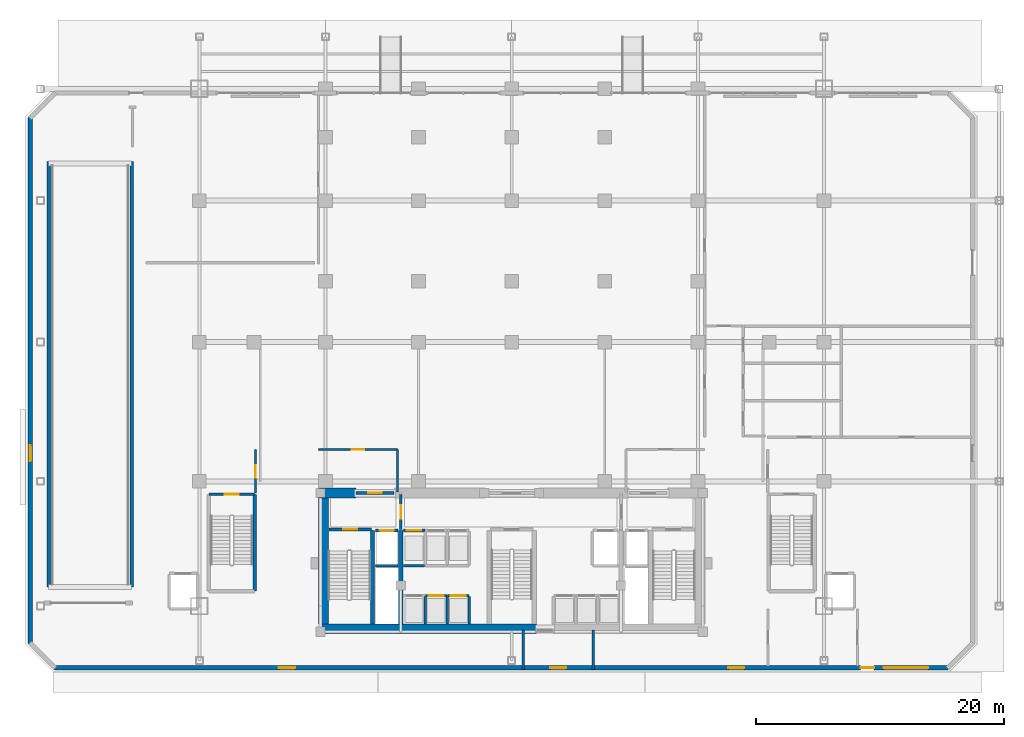
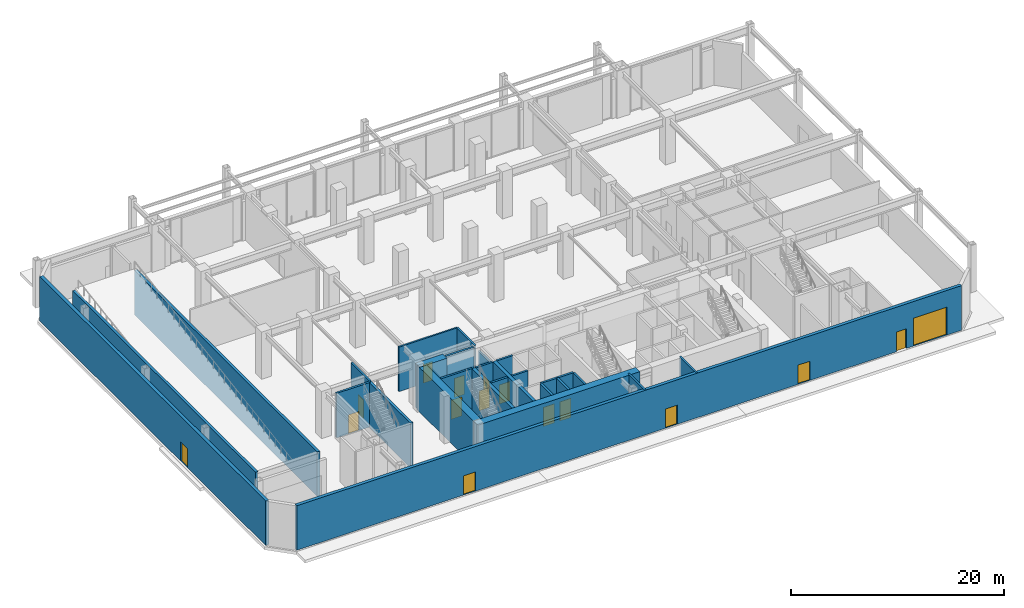
# One storey, part 16 of 23: 28 walls, 16 doors, 16 openings.
"""IFC4 building model written with IfcOpenShell, lengths in metres."""

import ifcopenshell
import ifcopenshell.guid

model = None  # the IFC model being written
_history = None  # IfcOwnerHistory: only IFC2X3 demands one
_inside = {}  # id of a spatial element -> (the spatial element, [elements in it])
_under = {}  # id of a project, library or spatial element -> (it, [spatial elements below it])
_declared = {}  # id of a project -> (the project, [libraries it declares])
_typed = {}  # id of a type object -> (the type object, [elements of that type])
_made_of = {}  # id of a material, layer set ... -> (it, [elements and type objects made of it])


def new_model(schema):
    """Start an empty IFC model of exactly this schema.

    Asked for "IFC4X3", IfcOpenShell would pick the latest addendum, in which some entities
    have other attributes; the version numbers below select the first issue.
    IFC2X3 requires an IfcOwnerHistory on every rooted entity: one is made here for all.
    """
    global model, _history
    if schema == "IFC4X3":
        model = ifcopenshell.file(schema_version=(4, 3, 0, 0))
    else:
        model = ifcopenshell.file(schema=schema)
    _inside.clear()
    _under.clear()
    _declared.clear()
    _typed.clear()
    _made_of.clear()
    _history = None
    if model.schema == "IFC2X3":
        org = make("IfcOrganization", Name="unknown")
        user = make(
            "IfcPersonAndOrganization",
            ThePerson=make("IfcPerson", FamilyName="unknown"),
            TheOrganization=org,
        )
        app = make(
            "IfcApplication",
            ApplicationDeveloper=org,
            Version="unknown",
            ApplicationFullName="unknown",
            ApplicationIdentifier="unknown",
        )
        _history = make(
            "IfcOwnerHistory",
            OwningUser=user,
            OwningApplication=app,
            ChangeAction="ADDED",
            CreationDate=0,
        )
    return model


def make(cls, **values):
    """One entity of the class cls with the attributes given. An attribute that is None is left unset."""
    return model.create_entity(
        cls, **{name: value for name, value in values.items() if value is not None}
    )


def rooted(cls, **values):
    """An entity with a GlobalId (a new one), such as an element, a storey or a relation."""
    return make(cls, GlobalId=ifcopenshell.guid.new(), OwnerHistory=_history, **values)


def si_unit(unit_type, name, prefix=None):
    """IfcSIUnit, for example si_unit("LENGTHUNIT", "METRE", prefix="MILLI")."""
    return make("IfcSIUnit", UnitType=unit_type, Prefix=prefix, Name=name)


def assignment(units):
    """IfcUnitAssignment: the units of a project."""
    return None if units is None else make("IfcUnitAssignment", Units=units)


def point(xyz):
    """IfcCartesianPoint."""
    return None if xyz is None else make("IfcCartesianPoint", Coordinates=xyz)


def direction(xyz):
    """IfcDirection."""
    return None if xyz is None else make("IfcDirection", DirectionRatios=xyz)


def frame(location, z_axis=None, x_axis=None):
    """IfcAxis2Placement3D, a coordinate frame: its origin and axes. An axis left out is left unset."""
    return make(
        "IfcAxis2Placement3D",
        Location=point(location),
        Axis=direction(z_axis),
        RefDirection=direction(x_axis),
    )


def frame_2d(location, x_axis=None):
    """IfcAxis2Placement2D, a coordinate frame in the plane: its origin and x axis."""
    return make(
        "IfcAxis2Placement2D", Location=point(location), RefDirection=direction(x_axis)
    )


def origin():
    """The frame at (0, 0, 0) with its axes left unset."""
    return frame((0.0, 0.0, 0.0))


def place(relative_to, where):
    """IfcLocalPlacement: puts the frame where relative to a parent placement (None: the world)."""
    return make(
        "IfcLocalPlacement", PlacementRelTo=relative_to, RelativePlacement=where
    )


def context(
    kind, dimensions, precision=None, world=None, true_north=None, identifier=None
):
    """IfcGeometricRepresentationContext, for example the 3D "Model" context."""
    return make(
        "IfcGeometricRepresentationContext",
        ContextIdentifier=identifier,
        ContextType=kind,
        CoordinateSpaceDimension=dimensions,
        Precision=precision,
        WorldCoordinateSystem=world,
        TrueNorth=true_north,
    )


def subcontext(parent, identifier, kind, view, scale=None):
    """IfcGeometricRepresentationSubContext, for example "Body" below "Model"."""
    return make(
        "IfcGeometricRepresentationSubContext",
        ContextIdentifier=identifier,
        ContextType=kind,
        ParentContext=parent,
        TargetScale=scale,
        TargetView=view,
    )


def project(units=None, contexts=None):
    """IfcProject with its units and contexts."""
    return rooted(
        "IfcProject",
        Name="project",
        RepresentationContexts=contexts,
        UnitsInContext=assignment(units),
    )


def spatial(cls, under=None, at=None, **own):
    """A site, building, storey or space (cls), placed at a placement, below another one or the project."""
    s = rooted(cls, ObjectPlacement=at, **own)
    if under is not None:
        _under.setdefault(under.id(), (under, []))[1].append(s)
    return s


def profile(cls, at=None, kind="AREA", **sizes):
    """A parametric profile (cls). Its sizes go by their IFC names, for example OverallWidth=200.0."""
    return make(cls, ProfileType=kind, Position=at, **sizes)


def rectangle(**sizes):
    """IfcRectangleProfileDef."""
    return profile("IfcRectangleProfileDef", **sizes)


def extrude(swept, where, along, depth):
    """IfcExtrudedAreaSolid: the profile swept, set in the frame where, extruded along a direction by depth."""
    return make(
        "IfcExtrudedAreaSolid",
        SweptArea=swept,
        Position=where,
        ExtrudedDirection=direction(along),
        Depth=depth,
    )


def shape(context_of_items, identifier, shape_type, items):
    """IfcShapeRepresentation: the items that make up one representation, for example the "Body"."""
    return make(
        "IfcShapeRepresentation",
        ContextOfItems=context_of_items,
        RepresentationIdentifier=identifier,
        RepresentationType=shape_type,
        Items=items,
    )


def material(Name=None, Category=None):
    """IfcMaterial."""
    return make("IfcMaterial", Name=Name, Category=Category)


def layer(
    of_material, thickness, ventilated=None, Name=None, Category=None, Priority=None
):
    """IfcMaterialLayer: one layer of a wall or slab, of a material (None: an air gap)."""
    return make(
        "IfcMaterialLayer",
        Material=of_material,
        LayerThickness=thickness,
        IsVentilated=ventilated,
        Name=Name,
        Category=Category,
        Priority=Priority,
    )


def layer_set(layers, Name=None):
    """IfcMaterialLayerSet."""
    return make("IfcMaterialLayerSet", MaterialLayers=layers, LayerSetName=Name)


def made_of(thing, what):
    """Note that an element or type object is made of a material, layer set ...; save() writes the relation."""
    if what is not None:
        _made_of.setdefault(what.id(), (what, []))[1].append(thing)
    return thing


def type_object(cls, material=None, **own):
    """A type object (cls), such as IfcWallType, which elements share."""
    return made_of(rooted(cls, **own), material)


def element(
    cls,
    number,
    at=None,
    inside=None,
    cuts=None,
    type_object=None,
    material=None,
    context=None,
    identifier="Body",
    shape_type=None,
    held_by="IfcProductDefinitionShape",
    body=None,
    shapes=None,
    **own,
):
    """One element of the class cls, such as IfcWall. Its Tag is "e" and its number.

    at: its placement. inside: the storey or other place that contains it. cuts: it is an
    opening in that element (IfcRelVoidsElement). A single representation is given by context,
    identifier, shape_type and body (its items); several are given by shapes. held_by: the class
    of the entity that holds the representations. save() writes the other relations.
    """
    e = rooted(cls, Tag="e%d" % number, ObjectPlacement=at, **own)
    if body is not None:
        shapes = [shape(context, identifier, shape_type, body)]
    if shapes is not None:
        e.Representation = make(held_by, Representations=shapes)
    if inside is not None:
        _inside.setdefault(inside.id(), (inside, []))[1].append(e)
    if cuts is not None:
        rooted(
            "IfcRelVoidsElement", RelatingBuildingElement=cuts, RelatedOpeningElement=e
        )
    if type_object is not None:
        _typed.setdefault(type_object.id(), (type_object, []))[1].append(e)
    return made_of(e, material)


def fill(opening, filler):
    """IfcRelFillsElement: the door or window that sits in an opening."""
    return rooted(
        "IfcRelFillsElement",
        RelatingOpeningElement=opening,
        RelatedBuildingElement=filler,
    )


def aggregate(whole, parts):
    """IfcRelAggregates: a whole, such as a stair, and the parts it consists of."""
    return rooted("IfcRelAggregates", RelatingObject=whole, RelatedObjects=parts)


def save(model, path):
    """Write the relations noted so far, then the file.

    IfcRelAggregates (storeys below a building ...), IfcRelContainedInSpatialStructure (elements
    in a storey), IfcRelDefinesByType, IfcRelAssociatesMaterial and IfcRelDeclares: one each for
    every whole, place, type object, material and project.
    """
    for whole, parts in _under.values():
        aggregate(whole, parts)
    for where, things in _inside.values():
        rooted(
            "IfcRelContainedInSpatialStructure",
            RelatedElements=things,
            RelatingStructure=where,
        )
    for kind, things in _typed.values():
        rooted("IfcRelDefinesByType", RelatedObjects=things, RelatingType=kind)
    for what, things in _made_of.values():
        rooted("IfcRelAssociatesMaterial", RelatedObjects=things, RelatingMaterial=what)
    for by, libraries in _declared.values():
        rooted("IfcRelDeclares", RelatingContext=by, RelatedDefinitions=libraries)
    model.write(path)


model = new_model("IFC4")

# Units and contexts
model_context = context("Model", 3, precision=1e-05, world=origin(), true_north=direction((0.0, 1.0)))
body_context = subcontext(model_context, "Body", "Model", "MODEL_VIEW")
ifc_project = project(units=[si_unit("LENGTHUNIT", "METRE"), si_unit("AREAUNIT", "SQUARE_METRE"), si_unit("VOLUMEUNIT", "CUBIC_METRE"), si_unit("PLANEANGLEUNIT", "RADIAN"), si_unit("MASSUNIT", "GRAM", prefix="KILO")], contexts=[model_context])

# Site, building, storey
site_placement = place(None, origin())
site = spatial("IfcSite", under=ifc_project, at=site_placement, CompositionType="ELEMENT")
building_placement = place(site_placement, origin())
building = spatial("IfcBuilding", under=site, at=building_placement, Name="Ventersveld Concourse Tower", CompositionType="ELEMENT")
storey_placement = place(building_placement, origin())
storey = spatial("IfcBuildingStorey", under=building, at=storey_placement, Name="L00", CompositionType="ELEMENT", Elevation=0.0)

# Walls
ifc_material_1 = material(Name="Concrete C60/75", Category="concrete")
ifc_layer_1 = layer(ifc_material_1, 0.35009765625)
ifc_layer_set_1 = layer_set([ifc_layer_1], Name="Concrete C60/75")
wall_type_1 = type_object("IfcWallType", Name="WL-CORE-350L", PredefinedType="SHEAR", material=ifc_layer_set_1)
for number, where, z_axis, x_axis, name in (
    (1, (17.5400390625, 0.919921875, 0.0), (0.0, 0.0, 1.0), (0.0, 1.0, 0.0), "L00 Core Internal Shear Web W-ST1-E"),
    (2, (19.820068359375, 0.919921875, 0.0), (0.0, 0.0, 1.0), (0.0, 1.0, 0.0), "L00 Core Internal Shear Web W-FF1-E"),
):
    element("IfcWall", number, at=place(storey_placement, frame(where, z_axis=z_axis, x_axis=x_axis)), inside=storey, type_object=wall_type_1, Name=name, PredefinedType="SHEAR", context=body_context, shape_type="SweptSolid", body=[
        extrude(rectangle(XDim=7.5, YDim=0.35009765625, at=frame_2d((3.75, 0.0))), origin(), (0.0, 0.0, 1.0), 5.10009765625),
    ])
ifc_layer_2 = layer(ifc_material_1, 0.800048828125)
ifc_layer_set_2 = layer_set([ifc_layer_2], Name="Concrete C60/75")
wall_type_2 = type_object("IfcWallType", Name="WL-CORE-800", PredefinedType="SHEAR", material=ifc_layer_set_2)
wall_1_placement = place(storey_placement, frame((13.25, 0.52001953125, 0.0), z_axis=(0.0, 0.0, 1.0), x_axis=(1.0, 0.0, 0.0)))
element("IfcWall", 3, at=wall_1_placement, inside=storey, type_object=wall_type_2, Name="L00 Rear Core South Shear Wall West", PredefinedType="SHEAR", context=body_context, shape_type="SweptSolid", body=[
    extrude(rectangle(XDim=17.510009765625, YDim=0.800048828125, at=frame_2d((8.7548828125, 0.0))), origin(), (0.0, 0.0, 1.0), 5.10009765625),
])
wall_2_placement = place(storey_placement, frame((13.60009765625, 0.919921875, 0.0), z_axis=(0.0, 0.0, 1.0), x_axis=(0.0, 1.0, 0.0)))
element("IfcWall", 4, at=wall_2_placement, inside=storey, type_object=wall_type_2, Name="L00 Rear Core West Shear Wall", PredefinedType="SHEAR", context=body_context, shape_type="SweptSolid", body=[
    extrude(rectangle(XDim=10.530029296875, YDim=0.800048828125, at=frame_2d((5.26513671875, 0.0))), origin(), (0.0, 0.0, 1.0), 5.10009765625),
])
wall_3_placement = place(storey_placement, frame((13.25, 11.449951171875, 0.0), z_axis=(0.0, 0.0, 1.0), x_axis=(1.0, 0.0, 0.0)))
element("IfcWall", 5, at=wall_3_placement, inside=storey, type_object=wall_type_2, Name="L00 Rear Core North Shear Wall NW", PredefinedType="SHEAR", context=body_context, shape_type="SweptSolid", body=[
    extrude(rectangle(XDim=2.949951171875, YDim=0.800048828125, at=frame_2d((1.47509765625, 0.0))), origin(), (0.0, 0.0, 1.0), 5.10009765625),
])

# Wall, opening, door
ifc_material_2 = material(Name="Fire-rated autoclaved aerated masonry blockwork", Category="masonry")
ifc_layer_3 = layer(ifc_material_2, 0.179931640625)
ifc_layer_set_3 = layer_set([ifc_layer_3], Name="Fire-rated autoclaved aerated masonry blockwork")
wall_type_3 = type_object("IfcWallType", Name="WL-CORR-180", PredefinedType="PARTITIONING", material=ifc_layer_set_3)
wall_4_placement = place(storey_placement, frame((13.205078125, 14.949951171875, 0.0), z_axis=(0.0, 0.0, 1.0), x_axis=(1.0, 0.0, 0.0)))
wall_4 = element("IfcWall", 6, at=wall_4_placement, inside=storey, type_object=wall_type_3, Name="L00 Interior Partition SP-L00-CONC-SP-L00-EXP1", PredefinedType="PARTITIONING", context=body_context, shape_type="SweptSolid", body=[
    extrude(rectangle(XDim=6.33984375, YDim=0.179931640625, at=frame_2d((3.169921875, 0.0))), origin(), (0.0, 0.0, 1.0), 5.10009765625),
])
opening_1_placement = place(wall_4_placement, frame((2.669921875, 0.0, 0.0)))
opening_1 = element("IfcOpeningElement", 7, at=opening_1_placement, cuts=wall_4, Name="Opening FD3", PredefinedType="OPENING", context=body_context, shape_type="SweptSolid", body=[
    extrude(rectangle(XDim=1.0, YDim=2.14990234375, at=frame_2d((0.5, 1.074951171875))), frame((0.0, 0.10009765625, 0.0), z_axis=(0.0, -1.0, 0.0), x_axis=(1.0, 0.0, 0.0)), (0.0, 0.0, 1.0), 0.199951171875),
])
ifc_material_3 = material(Name="Solid-core hardwood veneer timber", Category="wood")
door_type_1 = type_object("IfcDoorType", Name="DR-FLAT-100", OperationType="NOTDEFINED", PredefinedType="DOOR", material=ifc_material_3)
door_1_placement = place(opening_1_placement, origin())
door_1 = element("IfcDoor", 8, at=door_1_placement, inside=storey, type_object=door_type_1, Name="L00 Interior Door SP-L00-CONC to SP-L00-EXP1 (D-L00-0063)", OperationType="SINGLE_SWING_LEFT", OverallHeight=2.14990234375, OverallWidth=1.0, PredefinedType="DOOR", context=body_context, shape_type="SweptSolid", body=[
    extrude(rectangle(XDim=1.0, YDim=2.14990234375, at=frame_2d((0.5, 1.074951171875))), frame((0.0, 0.02490234375, 0.0), z_axis=(0.0, -1.0, 0.0), x_axis=(1.0, 0.0, 0.0)), (0.0, 0.0, 1.0), 0.050048828125),
])
fill(opening_1, door_1)

# Wall
wall_5_placement = place(storey_placement, frame((19.550048828125, 11.554931640625, 0.0), z_axis=(0.0, 0.0, 1.0), x_axis=(0.0, 1.0, 0.0)))
element("IfcWall", 9, at=wall_5_placement, inside=storey, type_object=wall_type_3, Name="L00 Interior Partition SP-L00-CONC-SP-L00-EXP1", PredefinedType="PARTITIONING", context=body_context, shape_type="SweptSolid", body=[
    extrude(rectangle(XDim=3.39013671875, YDim=0.179931640625, at=frame_2d((1.695068359375, 0.0))), origin(), (0.0, 0.0, 1.0), 5.10009765625),
])

# Wall, opening, door
wall_6_placement = place(storey_placement, frame((8.125, 11.455078125, 0.0), z_axis=(0.0, 0.0, 1.0), x_axis=(0.0, 1.0, 0.0)))
wall_6 = element("IfcWall", 10, at=wall_6_placement, inside=storey, type_object=wall_type_3, Name="L00 Interior Partition SP-L00-EXP1-SP-L00-EXP4", PredefinedType="PARTITIONING", context=body_context, shape_type="SweptSolid", body=[
    extrude(rectangle(XDim=3.489990234375, YDim=0.179931640625, at=frame_2d((1.7451171875, 0.0))), origin(), (0.0, 0.0, 1.0), 5.10009765625),
])
opening_2_placement = place(wall_6_placement, frame((1.2451171875, 0.0, 0.0)))
opening_2 = element("IfcOpeningElement", 11, at=opening_2_placement, cuts=wall_6, Name="Opening FD3", PredefinedType="OPENING", context=body_context, shape_type="SweptSolid", body=[
    extrude(rectangle(XDim=1.0, YDim=2.14990234375, at=frame_2d((0.5, 1.074951171875))), frame((0.0, 0.10009765625, 0.0), z_axis=(0.0, -1.0, 0.0), x_axis=(1.0, 0.0, 0.0)), (0.0, 0.0, 1.0), 0.199951171875),
])
door_2_placement = place(opening_2_placement, origin())
door_2 = element("IfcDoor", 12, at=door_2_placement, inside=storey, type_object=door_type_1, Name="L00 Interior Door SP-L00-EXP1 to SP-L00-EXP4 (D-L00-0073)", OperationType="SINGLE_SWING_LEFT", OverallHeight=2.14990234375, OverallWidth=1.0, PredefinedType="DOOR", context=body_context, shape_type="SweptSolid", body=[
    extrude(rectangle(XDim=1.0, YDim=2.14990234375, at=frame_2d((0.5, 1.074951171875))), frame((0.0, 0.02490234375, 0.0), z_axis=(0.0, -1.0, 0.0), x_axis=(1.0, 0.0, 0.0)), (0.0, 0.0, 1.0), 0.050048828125),
])
fill(opening_2, door_2)

# Walls
ifc_layer_4 = layer(ifc_material_2, 0.199951171875)
ifc_layer_set_4 = layer_set([ifc_layer_4], Name="Fire-rated autoclaved aerated masonry blockwork")
wall_type_4 = type_object("IfcWallType", Name="WL-DEMISE-200", PredefinedType="PARTITIONING", material=ifc_layer_set_4)
for number, where, z_axis, x_axis, name in (
    (13, (29.699951171875, -2.75, 0.0), (0.0, 0.0, 1.0), (0.0, 1.0, 0.0), "L00 ST-03 Exit Lobby West Fire Wall"),
    (14, (35.300048828125, -2.75, 0.0), (0.0, 0.0, 1.0), (0.0, 1.0, 0.0), "L00 ST-03 Exit Lobby East Fire Wall"),
):
    element("IfcWall", number, at=place(storey_placement, frame(where, z_axis=z_axis, x_axis=x_axis)), inside=storey, type_object=wall_type_4, Name=name, PredefinedType="PARTITIONING", context=body_context, shape_type="SweptSolid", body=[
        extrude(rectangle(XDim=3.169921875, YDim=0.199951171875, at=frame_2d((1.5849609375, 0.0))), origin(), (0.0, 0.0, 1.0), 5.10009765625),
    ])
ifc_layer_5 = layer(ifc_material_2, 0.219970703125)
ifc_layer_set_5 = layer_set([ifc_layer_5], Name="Fire-rated autoclaved aerated masonry blockwork")
wall_type_5 = type_object("IfcWallType", Name="WL-HOIST-220", PredefinedType="SOLIDWALL", material=ifc_layer_set_5)
wall_7_placement = place(storey_placement, frame((17.800048828125, 5.590087890625, 0.0), z_axis=(0.0, 0.0, 1.0), x_axis=(1.0, 0.0, 0.0)))
element("IfcWall", 15, at=wall_7_placement, inside=storey, type_object=wall_type_5, Name="L00 Lift Hoistway Back Wall FFL-01", PredefinedType="SOLIDWALL", context=body_context, shape_type="SweptSolid", body=[
    extrude(rectangle(XDim=1.780029296875, YDim=0.219970703125, at=frame_2d((0.89013671875, 0.0))), origin(), (0.0, 0.0, 1.0), 5.10009765625),
])

# Wall, opening, door
wall_8_placement = place(storey_placement, frame((17.780029296875, 8.429931640625, 0.0), z_axis=(0.0, 0.0, 1.0), x_axis=(1.0, 0.0, 0.0)))
wall_8 = element("IfcWall", 16, at=wall_8_placement, inside=storey, type_object=wall_type_5, Name="L00 Lift Hoistway Front Wall FFL-01", PredefinedType="SOLIDWALL", context=body_context, shape_type="SweptSolid", body=[
    extrude(rectangle(XDim=1.820068359375, YDim=0.219970703125, at=frame_2d((0.91015625, 0.0))), origin(), (0.0, 0.0, 1.0), 5.10009765625),
])
opening_3_placement = place(wall_8_placement, frame((0.35009765625, 0.0, 0.0)))
opening_3 = element("IfcOpeningElement", 17, at=opening_3_placement, cuts=wall_8, Name="Opening LD1", PredefinedType="OPENING", context=body_context, shape_type="SweptSolid", body=[
    extrude(rectangle(XDim=1.1201171875, YDim=2.25, at=frame_2d((0.56005859375, 1.125))), frame((0.0, 0.1201171875, 0.0), z_axis=(0.0, -1.0, 0.0), x_axis=(1.0, 0.0, 0.0)), (0.0, 0.0, 1.0), 0.239990234375),
])
ifc_material_4 = material(Name="Brushed stainless steel 316", Category="steel")
door_type_2 = type_object("IfcDoorType", Name="LD-FF-112", OperationType="SLIDING_TO_LEFT", PredefinedType="DOOR", material=ifc_material_4)
door_3_placement = place(opening_3_placement, origin())
door_3 = element("IfcDoor", 18, at=door_3_placement, inside=storey, type_object=door_type_2, Name="L00 Lift landing door FFL-01 (LD-L00-FFL-01)", OperationType="SLIDING_TO_LEFT", OverallHeight=2.25, OverallWidth=1.1201171875, PredefinedType="DOOR", context=body_context, shape_type="SweptSolid", body=[
    extrude(rectangle(XDim=1.1201171875, YDim=2.25, at=frame_2d((0.56005859375, 1.125))), frame((0.0, 0.02490234375, 0.0), z_axis=(0.0, -1.0, 0.0), x_axis=(1.0, 0.0, 0.0)), (0.0, 0.0, 1.0), 0.050048828125),
])
fill(opening_3, door_3)

# Walls
for number, where, z_axis, x_axis, name in (
    (19, (21.780029296875, 0.89990234375, 0.0), (0.0, 0.0, 1.0), (0.0, 1.0, 0.0), "L00 Lift Hoistway Side Wall PL-01E"),
    (20, (23.56005859375, 0.89990234375, 0.0), (0.0, 0.0, 1.0), (0.0, 1.0, 0.0), "L00 Lift Hoistway Side Wall PL-02E"),
):
    element("IfcWall", number, at=place(storey_placement, frame(where, z_axis=z_axis, x_axis=x_axis)), inside=storey, type_object=wall_type_5, Name=name, PredefinedType="SOLIDWALL", context=body_context, shape_type="SweptSolid", body=[
        extrude(rectangle(XDim=2.2001953125, YDim=0.219970703125, at=frame_2d((1.10009765625, 0.0))), origin(), (0.0, 0.0, 1.0), 5.10009765625),
    ])

# Wall, opening, door
wall_9_placement = place(storey_placement, frame((21.800048828125, 3.179931640625, 0.0), z_axis=(0.0, 0.0, 1.0), x_axis=(1.0, 0.0, 0.0)))
wall_9 = element("IfcWall", 21, at=wall_9_placement, inside=storey, type_object=wall_type_5, Name="L00 Lift Hoistway Front Wall PL-02", PredefinedType="SOLIDWALL", context=body_context, shape_type="SweptSolid", body=[
    extrude(rectangle(XDim=1.739990234375, YDim=0.219970703125, at=frame_2d((0.8701171875, 0.0))), origin(), (0.0, 0.0, 1.0), 5.10009765625),
])
opening_4_placement = place(wall_9_placement, frame((0.280029296875, 0.0, 0.0)))
opening_4 = element("IfcOpeningElement", 22, at=opening_4_placement, cuts=wall_9, Name="Opening LD2", PredefinedType="OPENING", context=body_context, shape_type="SweptSolid", body=[
    extrude(rectangle(XDim=1.179931640625, YDim=2.199951171875, at=frame_2d((0.58984375, 1.10009765625))), frame((0.0, 0.1201171875, 0.0), z_axis=(0.0, -1.0, 0.0), x_axis=(1.0, 0.0, 0.0)), (0.0, 0.0, 1.0), 0.239990234375),
])
door_type_3 = type_object("IfcDoorType", Name="LD-PAX-118", OperationType="SLIDING_TO_LEFT", PredefinedType="DOOR", material=ifc_material_4)
door_4_placement = place(opening_4_placement, origin())
door_4 = element("IfcDoor", 23, at=door_4_placement, inside=storey, type_object=door_type_3, Name="L00 Lift landing door PL-02 (LD-L00-PL-02)", OperationType="SLIDING_TO_LEFT", OverallHeight=2.199951171875, OverallWidth=1.179931640625, PredefinedType="DOOR", context=body_context, shape_type="SweptSolid", body=[
    extrude(rectangle(XDim=1.179931640625, YDim=2.199951171875, at=frame_2d((0.58984375, 1.10009765625))), frame((0.0, 0.02490234375, 0.0), z_axis=(0.0, -1.0, 0.0), x_axis=(1.0, 0.0, 0.0)), (0.0, 0.0, 1.0), 0.050048828125),
])
fill(opening_4, door_4)

# Wall
wall_10_placement = place(storey_placement, frame((25.340087890625, 0.89990234375, 0.0), z_axis=(0.0, 0.0, 1.0), x_axis=(0.0, 1.0, 0.0)))
element("IfcWall", 24, at=wall_10_placement, inside=storey, type_object=wall_type_5, Name="L00 Lift Hoistway Side Wall PL-03E", PredefinedType="SOLIDWALL", context=body_context, shape_type="SweptSolid", body=[
    extrude(rectangle(XDim=2.2001953125, YDim=0.219970703125, at=frame_2d((1.10009765625, 0.0))), origin(), (0.0, 0.0, 1.0), 5.10009765625),
])

# Wall, opening, door
wall_11_placement = place(storey_placement, frame((23.580078125, 3.179931640625, 0.0), z_axis=(0.0, 0.0, 1.0), x_axis=(1.0, 0.0, 0.0)))
wall_11 = element("IfcWall", 25, at=wall_11_placement, inside=storey, type_object=wall_type_5, Name="L00 Lift Hoistway Front Wall PL-03", PredefinedType="SOLIDWALL", context=body_context, shape_type="SweptSolid", body=[
    extrude(rectangle(XDim=1.739990234375, YDim=0.219970703125, at=frame_2d((0.8701171875, 0.0))), origin(), (0.0, 0.0, 1.0), 5.10009765625),
])
opening_5_placement = place(wall_11_placement, frame((0.280029296875, 0.0, 0.0)))
opening_5 = element("IfcOpeningElement", 26, at=opening_5_placement, cuts=wall_11, Name="Opening LD2", PredefinedType="OPENING", context=body_context, shape_type="SweptSolid", body=[
    extrude(rectangle(XDim=1.179931640625, YDim=2.199951171875, at=frame_2d((0.58984375, 1.10009765625))), frame((0.0, 0.1201171875, 0.0), z_axis=(0.0, -1.0, 0.0), x_axis=(1.0, 0.0, 0.0)), (0.0, 0.0, 1.0), 0.239990234375),
])
door_5_placement = place(opening_5_placement, origin())
door_5 = element("IfcDoor", 27, at=door_5_placement, inside=storey, type_object=door_type_3, Name="L00 Lift landing door PL-03 (LD-L00-PL-03)", OperationType="SLIDING_TO_RIGHT", OverallHeight=2.199951171875, OverallWidth=1.179931640625, PredefinedType="DOOR", context=body_context, shape_type="SweptSolid", body=[
    extrude(rectangle(XDim=1.179931640625, YDim=2.199951171875, at=frame_2d((0.58984375, 1.10009765625))), frame((0.0, 0.02490234375, 0.0), z_axis=(0.0, -1.0, 0.0), x_axis=(1.0, 0.0, 0.0)), (0.0, 0.0, 1.0), 0.050048828125),
])
fill(opening_5, door_5)

# Wall
wall_12_placement = place(storey_placement, frame((20.0400390625, 5.590087890625, 0.0), z_axis=(0.0, 0.0, 1.0), x_axis=(1.0, 0.0, 0.0)))
element("IfcWall", 28, at=wall_12_placement, inside=storey, type_object=wall_type_5, Name="L00 Lift Hoistway Back Wall PH-01", PredefinedType="SOLIDWALL", context=body_context, shape_type="SweptSolid", body=[
    extrude(rectangle(XDim=1.699951171875, YDim=0.219970703125, at=frame_2d((0.85009765625, 0.0))), origin(), (0.0, 0.0, 1.0), 5.10009765625),
])

# Wall, opening, door
wall_13_placement = place(storey_placement, frame((20.02001953125, 8.429931640625, 0.0), z_axis=(0.0, 0.0, 1.0), x_axis=(1.0, 0.0, 0.0)))
wall_13 = element("IfcWall", 29, at=wall_13_placement, inside=storey, type_object=wall_type_5, Name="L00 Lift Hoistway Front Wall PH-01", PredefinedType="SOLIDWALL", context=body_context, shape_type="SweptSolid", body=[
    extrude(rectangle(XDim=1.739990234375, YDim=0.219970703125, at=frame_2d((0.8701171875, 0.0))), origin(), (0.0, 0.0, 1.0), 5.10009765625),
])
opening_6_placement = place(wall_13_placement, frame((0.280029296875, 0.0, 0.0)))
opening_6 = element("IfcOpeningElement", 30, at=opening_6_placement, cuts=wall_13, Name="Opening LD2", PredefinedType="OPENING", context=body_context, shape_type="SweptSolid", body=[
    extrude(rectangle(XDim=1.179931640625, YDim=2.199951171875, at=frame_2d((0.58984375, 1.10009765625))), frame((0.0, 0.1201171875, 0.0), z_axis=(0.0, -1.0, 0.0), x_axis=(1.0, 0.0, 0.0)), (0.0, 0.0, 1.0), 0.239990234375),
])
door_6_placement = place(opening_6_placement, origin())
door_6 = element("IfcDoor", 31, at=door_6_placement, inside=storey, type_object=door_type_3, Name="L00 Lift landing door PH-01 (LD-L00-PH-01)", OperationType="SLIDING_TO_RIGHT", OverallHeight=2.199951171875, OverallWidth=1.179931640625, PredefinedType="DOOR", context=body_context, shape_type="SweptSolid", body=[
    extrude(rectangle(XDim=1.179931640625, YDim=2.199951171875, at=frame_2d((0.58984375, 1.10009765625))), frame((0.0, 0.02490234375, 0.0), z_axis=(0.0, -1.0, 0.0), x_axis=(1.0, 0.0, 0.0)), (0.0, 0.0, 1.0), 0.050048828125),
])
fill(opening_6, door_6)

wall_14_placement = place(storey_placement, frame((14.0400390625, 8.52001953125, 0.0), z_axis=(0.0, 0.0, 1.0), x_axis=(1.0, 0.0, 0.0)))
wall_14 = element("IfcWall", 32, at=wall_14_placement, inside=storey, type_object=wall_type_5, Name="L00 Escape Stair ST01 Fire Wall", PredefinedType="SOLIDWALL", context=body_context, shape_type="SweptSolid", body=[
    extrude(rectangle(XDim=3.39990234375, YDim=0.219970703125, at=frame_2d((1.699951171875, 0.0))), origin(), (0.0, 0.0, 1.0), 5.10009765625),
])
opening_7_placement = place(wall_14_placement, frame((1.125, 0.0, 0.0)))
opening_7 = element("IfcOpeningElement", 33, at=opening_7_placement, cuts=wall_14, Name="Opening FD1", PredefinedType="OPENING", context=body_context, shape_type="SweptSolid", body=[
    extrude(rectangle(XDim=1.14990234375, YDim=2.199951171875, at=frame_2d((0.574951171875, 1.10009765625))), frame((0.0, 0.1201171875, 0.0), z_axis=(0.0, -1.0, 0.0), x_axis=(1.0, 0.0, 0.0)), (0.0, 0.0, 1.0), 0.239990234375),
])
ifc_material_5 = material(Name="Galvanised painted steel", Category="steel")
door_type_4 = type_object("IfcDoorType", Name="DR-STAIR-115", OperationType="NOTDEFINED", PredefinedType="DOOR", material=ifc_material_5)
door_7_placement = place(opening_7_placement, origin())
door_7 = element("IfcDoor", 34, at=door_7_placement, inside=storey, type_object=door_type_4, Name="L00 Escape Stair Door ST01 (SD-L00-0050)", OperationType="SINGLE_SWING_LEFT", OverallHeight=2.199951171875, OverallWidth=1.14990234375, PredefinedType="DOOR", context=body_context, shape_type="SweptSolid", body=[
    extrude(rectangle(XDim=1.14990234375, YDim=2.199951171875, at=frame_2d((0.574951171875, 1.10009765625))), frame((0.0, 0.02490234375, 0.0), z_axis=(0.0, -1.0, 0.0), x_axis=(1.0, 0.0, 0.0)), (0.0, 0.0, 1.0), 0.050048828125),
])
fill(opening_7, door_7)

wall_15_placement = place(storey_placement, frame((4.360107421875, 11.35009765625, 0.0), z_axis=(0.0, 0.0, 1.0), x_axis=(1.0, 0.0, 0.0)))
wall_15 = element("IfcWall", 35, at=wall_15_placement, inside=storey, type_object=wall_type_5, Name="L00 Escape Stair ST04 Fire Wall", PredefinedType="SOLIDWALL", context=body_context, shape_type="SweptSolid", body=[
    extrude(rectangle(XDim=3.679931640625, YDim=0.219970703125, at=frame_2d((1.83984375, 0.0))), origin(), (0.0, 0.0, 1.0), 5.10009765625),
])
opening_8_placement = place(wall_15_placement, frame((1.264892578125, 0.0, 0.0)))
opening_8 = element("IfcOpeningElement", 36, at=opening_8_placement, cuts=wall_15, Name="Opening FD1", PredefinedType="OPENING", context=body_context, shape_type="SweptSolid", body=[
    extrude(rectangle(XDim=1.14990234375, YDim=2.199951171875, at=frame_2d((0.574951171875, 1.10009765625))), frame((0.0, 0.1201171875, 0.0), z_axis=(0.0, -1.0, 0.0), x_axis=(1.0, 0.0, 0.0)), (0.0, 0.0, 1.0), 0.239990234375),
])
door_8_placement = place(opening_8_placement, origin())
door_8 = element("IfcDoor", 37, at=door_8_placement, inside=storey, type_object=door_type_4, Name="L00 Escape Stair Door ST04 (SD-L00-0053)", OperationType="SINGLE_SWING_RIGHT", OverallHeight=2.199951171875, OverallWidth=1.14990234375, PredefinedType="DOOR", context=body_context, shape_type="SweptSolid", body=[
    extrude(rectangle(XDim=1.14990234375, YDim=2.199951171875, at=frame_2d((0.574951171875, 1.10009765625))), frame((0.0, 0.02490234375, 0.0), z_axis=(0.0, -1.0, 0.0), x_axis=(1.0, 0.0, 0.0)), (0.0, 0.0, 1.0), 0.050048828125),
])
fill(opening_8, door_8)

wall_16_placement = place(storey_placement, frame((19.820068359375, 8.52001953125, 0.0), z_axis=(0.0, 0.0, 1.0), x_axis=(0.0, 1.0, 0.0)))
wall_16 = element("IfcWall", 38, at=wall_16_placement, inside=storey, type_object=wall_type_5, Name="L00 Firefighting Lobby Smoke-Stop Wall FFLW-SEP", PredefinedType="SOLIDWALL", context=body_context, shape_type="SweptSolid", body=[
    extrude(rectangle(XDim=2.800048828125, YDim=0.219970703125, at=frame_2d((1.39990234375, 0.0))), origin(), (0.0, 0.0, 1.0), 4.555419921875),
])
opening_9_placement = place(wall_16_placement, frame((0.85009765625, 0.0, 0.0)))
opening_9 = element("IfcOpeningElement", 39, at=opening_9_placement, cuts=wall_16, Name="Opening FD2", PredefinedType="OPENING", context=body_context, shape_type="SweptSolid", body=[
    extrude(rectangle(XDim=1.10009765625, YDim=2.199951171875, at=frame_2d((0.550048828125, 1.10009765625))), frame((0.0, 0.1201171875, 0.0), z_axis=(0.0, -1.0, 0.0), x_axis=(1.0, 0.0, 0.0)), (0.0, 0.0, 1.0), 0.239990234375),
])
door_type_5 = type_object("IfcDoorType", Name="DR-FFL-110", OperationType="NOTDEFINED", PredefinedType="DOOR", material=ifc_material_5)
door_9_placement = place(opening_9_placement, origin())
door_9 = element("IfcDoor", 40, at=door_9_placement, inside=storey, type_object=door_type_5, Name="L00 Firefighting Lobby Door FFLW-SEP (FD-L00-0055)", OperationType="SINGLE_SWING_LEFT", OverallHeight=2.199951171875, OverallWidth=1.10009765625, PredefinedType="DOOR", context=body_context, shape_type="SweptSolid", body=[
    extrude(rectangle(XDim=1.10009765625, YDim=2.199951171875, at=frame_2d((0.550048828125, 1.10009765625))), frame((0.0, 0.02490234375, 0.0), z_axis=(0.0, -1.0, 0.0), x_axis=(1.0, 0.0, 0.0)), (0.0, 0.0, 1.0), 0.050048828125),
])
fill(opening_9, door_9)

wall_17_placement = place(storey_placement, frame((16.22998046875, 11.449951171875, 0.0), z_axis=(0.0, 0.0, 1.0), x_axis=(1.0, 0.0, 0.0)))
wall_17 = element("IfcWall", 41, at=wall_17_placement, inside=storey, type_object=wall_type_5, Name="L00 Core North Fire Portal FFLW-OUT", PredefinedType="SOLIDWALL", context=body_context, shape_type="SweptSolid", body=[
    extrude(rectangle(XDim=3.0400390625, YDim=0.219970703125, at=frame_2d((1.52001953125, 0.0))), origin(), (0.0, 0.0, 1.0), 5.10009765625),
])
opening_10_placement = place(wall_17_placement, frame((0.969970703125, 0.0, 0.0)))
opening_10 = element("IfcOpeningElement", 42, at=opening_10_placement, cuts=wall_17, Name="Opening FD2", PredefinedType="OPENING", context=body_context, shape_type="SweptSolid", body=[
    extrude(rectangle(XDim=1.10009765625, YDim=2.199951171875, at=frame_2d((0.550048828125, 1.10009765625))), frame((0.0, 0.1201171875, 0.0), z_axis=(0.0, -1.0, 0.0), x_axis=(1.0, 0.0, 0.0)), (0.0, 0.0, 1.0), 0.239990234375),
])
door_10_placement = place(opening_10_placement, origin())
door_10 = element("IfcDoor", 43, at=door_10_placement, inside=storey, type_object=door_type_5, Name="L00 Core Lobby Fire Door FFLW-OUT (FD-L00-0057)", OperationType="SINGLE_SWING_RIGHT", OverallHeight=2.199951171875, OverallWidth=1.10009765625, PredefinedType="DOOR", context=body_context, shape_type="SweptSolid", body=[
    extrude(rectangle(XDim=1.10009765625, YDim=2.199951171875, at=frame_2d((0.550048828125, 1.10009765625))), frame((0.0, 0.02490234375, 0.0), z_axis=(0.0, -1.0, 0.0), x_axis=(1.0, 0.0, 0.0)), (0.0, 0.0, 1.0), 0.050048828125),
])
fill(opening_10, door_10)

# Wall, openings, doors
ifc_material_6 = material(Name="Precast concrete C45/55", Category="concrete")
ifc_layer_6 = layer(ifc_material_6, 0.35009765625)
ifc_layer_set_6 = layer_set([ifc_layer_6], Name="Precast concrete C45/55")
wall_type_6 = type_object("IfcWallType", Name="WL-PREC-350", PredefinedType="SOLIDWALL", material=ifc_layer_set_6)
wall_18_placement = place(storey_placement, frame((-8.06005859375, -2.6201171875, 0.0), z_axis=(0.0, 0.0, 1.0), x_axis=(1.0, 0.0, 0.0)))
wall_18 = element("IfcWall", 44, at=wall_18_placement, inside=storey, type_object=wall_type_6, Name="L00 Podium Precast Perimeter Wall 01", PredefinedType="SOLIDWALL", context=body_context, shape_type="SweptSolid", body=[
    extrude(rectangle(XDim=71.969970703125, YDim=0.35009765625, at=frame_2d((35.98486328125, 0.0))), origin(), (0.0, 0.0, 1.0), 5.10009765625),
])
opening_11_placement = place(wall_18_placement, frame((18.06005859375, 0.0, 0.0)))
opening_11 = element("IfcOpeningElement", 45, at=opening_11_placement, cuts=wall_18, Name="Opening EXD1", PredefinedType="OPENING", context=body_context, shape_type="SweptSolid", body=[
    extrude(rectangle(XDim=1.300048828125, YDim=2.199951171875, at=frame_2d((0.64990234375, 1.10009765625))), frame((0.0, 0.18505859375, 0.0), z_axis=(0.0, -1.0, 0.0), x_axis=(1.0, 0.0, 0.0)), (0.0, 0.0, 1.0), 0.3701171875),
])
opening_12_placement = place(wall_18_placement, frame((39.909912109375, 0.0, 0.0)))
opening_12 = element("IfcOpeningElement", 46, at=opening_12_placement, cuts=wall_18, Name="Opening EXD1", PredefinedType="OPENING", context=body_context, shape_type="SweptSolid", body=[
    extrude(rectangle(XDim=1.300048828125, YDim=2.199951171875, at=frame_2d((0.64990234375, 1.10009765625))), frame((0.0, 0.18505859375, 0.0), z_axis=(0.0, -1.0, 0.0), x_axis=(1.0, 0.0, 0.0)), (0.0, 0.0, 1.0), 0.3701171875),
])
opening_13_placement = place(wall_18_placement, frame((54.260009765625, 0.0, 0.0)))
opening_13 = element("IfcOpeningElement", 47, at=opening_13_placement, cuts=wall_18, Name="Opening EXD1", PredefinedType="OPENING", context=body_context, shape_type="SweptSolid", body=[
    extrude(rectangle(XDim=1.300048828125, YDim=2.199951171875, at=frame_2d((0.64990234375, 1.10009765625))), frame((0.0, 0.18505859375, 0.0), z_axis=(0.0, -1.0, 0.0), x_axis=(1.0, 0.0, 0.0)), (0.0, 0.0, 1.0), 0.3701171875),
])
opening_14_placement = place(wall_18_placement, frame((66.760009765625, 0.0, 0.0)))
opening_14 = element("IfcOpeningElement", 48, at=opening_14_placement, cuts=wall_18, Name="Opening LG1", PredefinedType="OPENING", context=body_context, shape_type="SweptSolid", body=[
    extrude(rectangle(XDim=3.60009765625, YDim=3.199951171875, at=frame_2d((1.800048828125, 1.60009765625))), frame((0.0, 0.18505859375, 0.0), z_axis=(0.0, -1.0, 0.0), x_axis=(1.0, 0.0, 0.0)), (0.0, 0.0, 1.0), 0.3701171875),
])
opening_15_placement = place(wall_18_placement, frame((64.919921875, 0.0, 0.0)))
opening_15 = element("IfcOpeningElement", 49, at=opening_15_placement, cuts=wall_18, Name="Opening ED2", PredefinedType="OPENING", context=body_context, shape_type="SweptSolid", body=[
    extrude(rectangle(XDim=1.080078125, YDim=2.25, at=frame_2d((0.5400390625, 1.125))), frame((0.0, 0.18505859375, 0.0), z_axis=(0.0, -1.0, 0.0), x_axis=(1.0, 0.0, 0.0)), (0.0, 0.0, 1.0), 0.3701171875),
])
door_type_6 = type_object("IfcDoorType", Name="DR-EXD-130", OperationType="NOTDEFINED", PredefinedType="DOOR", material=ifc_material_5)
door_11_placement = place(opening_11_placement, frame((1.300048828125, 0.0, 0.0), z_axis=(0.0, 0.0, 1.0), x_axis=(-1.0, 0.0, 0.0)))
door_11 = element("IfcDoor", 50, at=door_11_placement, inside=storey, type_object=door_type_6, Name="L00 ST-01 Protected Final Exterior Exit Door EXD1", OperationType="SINGLE_SWING_LEFT", OverallHeight=2.199951171875, OverallWidth=1.300048828125, PredefinedType="DOOR", context=body_context, shape_type="SweptSolid", body=[
    extrude(rectangle(XDim=1.300048828125, YDim=2.199951171875, at=frame_2d((0.64990234375, 1.10009765625))), frame((0.0, 0.02490234375, 0.0), z_axis=(0.0, -1.0, 0.0), x_axis=(1.0, 0.0, 0.0)), (0.0, 0.0, 1.0), 0.050048828125),
])
fill(opening_11, door_11)
door_12_placement = place(opening_12_placement, frame((1.300048828125, 0.0, 0.0), z_axis=(0.0, 0.0, 1.0), x_axis=(-1.0, 0.0, 0.0)))
door_12 = element("IfcDoor", 51, at=door_12_placement, inside=storey, type_object=door_type_6, Name="L00 ST-03 Protected Final Exterior Exit Door EXD1", OperationType="SINGLE_SWING_RIGHT", OverallHeight=2.199951171875, OverallWidth=1.300048828125, PredefinedType="DOOR", context=body_context, shape_type="SweptSolid", body=[
    extrude(rectangle(XDim=1.300048828125, YDim=2.199951171875, at=frame_2d((0.64990234375, 1.10009765625))), frame((0.0, 0.02490234375, 0.0), z_axis=(0.0, -1.0, 0.0), x_axis=(1.0, 0.0, 0.0)), (0.0, 0.0, 1.0), 0.050048828125),
])
fill(opening_12, door_12)
door_13_placement = place(opening_13_placement, frame((1.300048828125, 0.0, 0.0), z_axis=(0.0, 0.0, 1.0), x_axis=(-1.0, 0.0, 0.0)))
door_13 = element("IfcDoor", 52, at=door_13_placement, inside=storey, type_object=door_type_6, Name="L00 ST-02 Protected Final Exterior Exit Door EXD1", OperationType="SINGLE_SWING_LEFT", OverallHeight=2.199951171875, OverallWidth=1.300048828125, PredefinedType="DOOR", context=body_context, shape_type="SweptSolid", body=[
    extrude(rectangle(XDim=1.300048828125, YDim=2.199951171875, at=frame_2d((0.64990234375, 1.10009765625))), frame((0.0, 0.02490234375, 0.0), z_axis=(0.0, -1.0, 0.0), x_axis=(1.0, 0.0, 0.0)), (0.0, 0.0, 1.0), 0.050048828125),
])
fill(opening_13, door_13)
ifc_material_7 = material(Name="Anodised aluminium EN AW-6063-T6", Category="aluminium")
door_type_7 = type_object("IfcDoorType", Name="DR-EXT-SGL-108", OperationType="NOTDEFINED", PredefinedType="DOOR", material=ifc_material_7)
door_14_placement = place(opening_15_placement, frame((1.080078125, 0.0, 0.0), z_axis=(0.0, 0.0, 1.0), x_axis=(-1.0, 0.0, 0.0)))
door_14 = element("IfcDoor", 53, at=door_14_placement, inside=storey, type_object=door_type_7, Name="L00 Loading Dock Personnel Exit Door", OperationType="SINGLE_SWING_LEFT", OverallHeight=2.25, OverallWidth=1.080078125, PredefinedType="DOOR", context=body_context, shape_type="SweptSolid", body=[
    extrude(rectangle(XDim=1.080078125, YDim=2.25, at=frame_2d((0.5400390625, 1.125))), frame((0.0, 0.02490234375, 0.0), z_axis=(0.0, -1.0, 0.0), x_axis=(1.0, 0.0, 0.0)), (0.0, 0.0, 1.0), 0.050048828125),
])
fill(opening_15, door_14)
door_type_8 = type_object("IfcDoorType", Name="GT-LOAD-360", OperationType="ROLLINGUP", PredefinedType="GATE", material=ifc_material_5)
door_15_placement = place(opening_14_placement, frame((3.60009765625, 0.0, 0.0), z_axis=(0.0, 0.0, 1.0), x_axis=(-1.0, 0.0, 0.0)))
door_15 = element("IfcDoor", 54, at=door_15_placement, inside=storey, type_object=door_type_8, Name="L00 Refuse and Goods Loading Dock Roller Gate", OperationType="ROLLINGUP", OverallHeight=3.199951171875, OverallWidth=3.60009765625, PredefinedType="GATE", context=body_context, shape_type="SweptSolid", body=[
    extrude(rectangle(XDim=3.60009765625, YDim=3.199951171875, at=frame_2d((1.800048828125, 1.60009765625))), frame((0.0, 0.02490234375, 0.0), z_axis=(0.0, -1.0, 0.0), x_axis=(1.0, 0.0, 0.0)), (0.0, 0.0, 1.0), 0.050048828125),
])
fill(opening_14, door_15)

# Wall, opening, door
wall_19_placement = place(storey_placement, frame((-10.02001953125, 41.7099609375, 0.0), z_axis=(0.0, 0.0, 1.0), x_axis=(0.0, -1.0, 0.0)))
wall_19 = element("IfcWall", 55, at=wall_19_placement, inside=storey, type_object=wall_type_6, Name="L00 Podium Precast Perimeter Wall 07", PredefinedType="SOLIDWALL", context=body_context, shape_type="SweptSolid", body=[
    extrude(rectangle(XDim=42.369873046875, YDim=0.35009765625, at=frame_2d((21.18505859375, 0.0))), origin(), (0.0, 0.0, 1.0), 5.10009765625),
])
opening_16_placement = place(wall_19_placement, frame((26.409912109375, 0.0, 0.0)))
opening_16 = element("IfcOpeningElement", 56, at=opening_16_placement, cuts=wall_19, Name="Opening EXD1", PredefinedType="OPENING", context=body_context, shape_type="SweptSolid", body=[
    extrude(rectangle(XDim=1.300048828125, YDim=2.199951171875, at=frame_2d((0.64990234375, 1.10009765625))), frame((0.0, 0.18505859375, 0.0), z_axis=(0.0, -1.0, 0.0), x_axis=(1.0, 0.0, 0.0)), (0.0, 0.0, 1.0), 0.3701171875),
])
door_16_placement = place(opening_16_placement, frame((1.300048828125, 0.0, 0.0), z_axis=(0.0, 0.0, 1.0), x_axis=(-1.0, 0.0, 0.0)))
door_16 = element("IfcDoor", 57, at=door_16_placement, inside=storey, type_object=door_type_6, Name="L00 ST-04 Protected Final Exterior Exit Door EXD1", OperationType="SINGLE_SWING_LEFT", OverallHeight=2.199951171875, OverallWidth=1.300048828125, PredefinedType="DOOR", context=body_context, shape_type="SweptSolid", body=[
    extrude(rectangle(XDim=1.300048828125, YDim=2.199951171875, at=frame_2d((0.64990234375, 1.10009765625))), frame((0.0, 0.02490234375, 0.0), z_axis=(0.0, -1.0, 0.0), x_axis=(1.0, 0.0, 0.0)), (0.0, 0.0, 1.0), 0.050048828125),
])
fill(opening_16, door_16)

# Walls
ifc_material_8 = material(Name="Concrete C50/60", Category="concrete")
ifc_layer_7 = layer(ifc_material_8, 0.280029296875)
ifc_layer_set_7 = layer_set([ifc_layer_7], Name="Concrete C50/60")
wall_type_7 = type_object("IfcWallType", Name="WL-SHAFT-280", PredefinedType="SHEAR", material=ifc_layer_set_7)
for number, where, z_axis, x_axis, name in (
    (58, (-8.5400390625, 3.8798828125, 0.0), (0.0, 0.0, 1.0), (0.0, 1.0, 0.0), "L00 Ramp Structural Shaft Wall RMPW-W"),
    (59, (-1.860107421875, 3.8798828125, 0.0), (0.0, 0.0, 1.0), (0.0, 1.0, 0.0), "L00 Ramp Structural Shaft Wall RMPW-E"),
):
    element("IfcWall", number, at=place(storey_placement, frame(where, z_axis=z_axis, x_axis=x_axis)), inside=storey, type_object=wall_type_7, Name=name, PredefinedType="SHEAR", context=body_context, shape_type="SweptSolid", body=[
        extrude(rectangle(XDim=34.27001953125, YDim=0.280029296875, at=frame_2d((17.135009765625, 0.0))), origin(), (0.0, 0.0, 1.0), 5.10009765625),
    ])
wall_20_placement = place(storey_placement, frame((8.0400390625, 3.56005859375, 0.0), z_axis=(0.0, 0.0, 1.0), x_axis=(0.0, 1.0, 0.0)))
element("IfcWall", 60, at=wall_20_placement, inside=storey, type_object=wall_type_7, Name="L00 ST04 Structural Shaft Wall E", PredefinedType="SHEAR", context=body_context, shape_type="SweptSolid", body=[
    extrude(rectangle(XDim=7.7900390625, YDim=0.280029296875, at=frame_2d((3.89501953125, 0.0))), origin(), (0.0, 0.0, 1.0), 5.10009765625),
])

save(model, "model.ifc")
